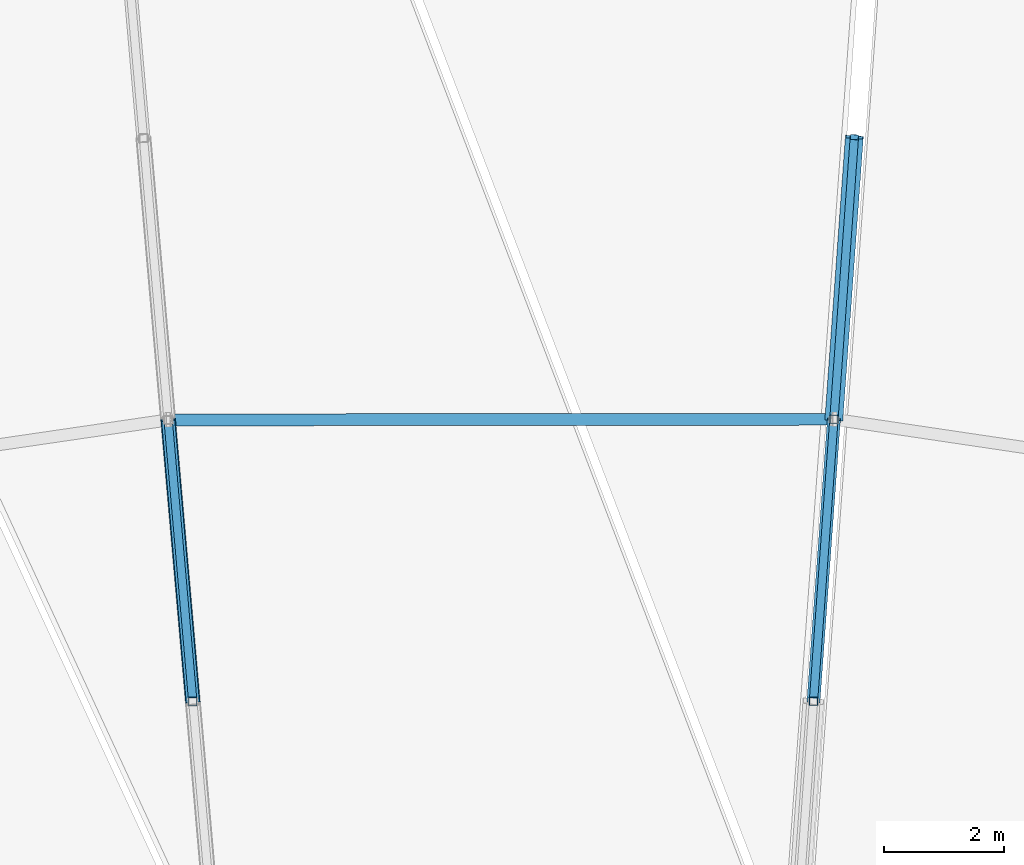
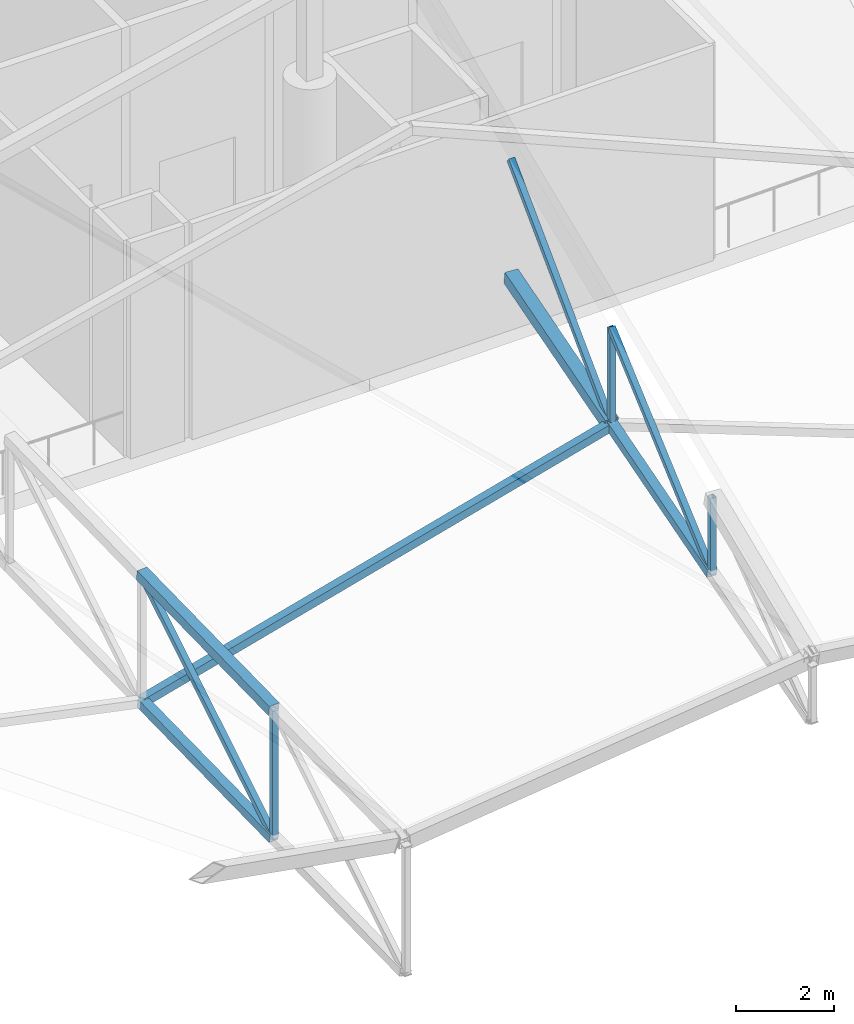
# One storey, part 153 of 344: 11 members.
"""IFC4 building model written with IfcOpenShell, lengths in metres."""

from ifc_helpers import new_model, si_unit, direction, frame, origin, origin_2d, place, context, subcontext, project, spatial, hollow_rectangle, extrude, material, material_profile, profile_set, type_object, element, save


model = new_model("IFC4")

# Units and contexts
model_context = context("Model", 3, precision=1e-05, world=origin(), true_north=direction((0.0, 1.0)))
body_context = subcontext(model_context, "Body", "Model", "MODEL_VIEW")
ifc_project = project(units=[si_unit("LENGTHUNIT", "METRE"), si_unit("AREAUNIT", "SQUARE_METRE"), si_unit("VOLUMEUNIT", "CUBIC_METRE"), si_unit("PLANEANGLEUNIT", "RADIAN"), si_unit("MASSUNIT", "GRAM", prefix="KILO")], contexts=[model_context])

# Site, building, storey
site_placement = place(None, origin())
site = spatial("IfcSite", under=ifc_project, at=site_placement, CompositionType="ELEMENT")
building_placement = place(site_placement, origin())
building = spatial("IfcBuilding", under=site, at=building_placement, Name="Meseta Stadium", CompositionType="ELEMENT")
storey_placement = place(building_placement, frame((0.0, 0.0, 24.0)))
storey = spatial("IfcBuildingStorey", under=building, at=storey_placement, Name="L04", CompositionType="ELEMENT", Elevation=24.0)

# Members
ifc_material_1 = material(Name="Steel S355", Category="steel")
ifc_material_profile_1 = material_profile(ifc_material_1, hollow_rectangle(XDim=0.139892578125, YDim=0.139892578125, WallThickness=0.0048828125, at=origin_2d()), Name="SHS 140x140x5")
ifc_profile_set_1 = profile_set([ifc_material_profile_1], Name="Steel S355")
member_type_1 = type_object("IfcMemberType", Name="SHS 140x140x5 diagonal", PredefinedType="BRACE", material=ifc_profile_set_1)
member_1_placement = place(storey_placement, frame((5.14990234375, 70.6943359375, 5.447021484375), z_axis=(0.060201380436, 0.830091034239, 0.554368711842), x_axis=(-0.997380476022, 0.072333851348, 0.0)))
element("IfcMember", 1, at=member_1_placement, inside=storey, type_object=member_type_1, Name="ROOF TRUSS RT-18 diagonal", PredefinedType="BRACE", context=body_context, shape_type="SweptSolid", body=[
    extrude(hollow_rectangle(XDim=0.139892578125, YDim=0.139892578125, WallThickness=0.0048828125, at=origin_2d()), origin(), (0.0, 0.0, 1.0), 5.677490234375),
])
member_2_placement = place(storey_placement, frame((5.49169921875, 75.4072265625, 6.179443359375), z_axis=(0.057211819337, 0.788910123077, 0.611839542228), x_axis=(-0.997380746332, 0.072330124054, 0.0)))
element("IfcMember", 2, at=member_2_placement, inside=storey, type_object=member_type_1, Name="ROOF TRUSS RT-18 diagonal", PredefinedType="BRACE", context=body_context, shape_type="SweptSolid", body=[
    extrude(hollow_rectangle(XDim=0.139892578125, YDim=0.139892578125, WallThickness=0.0048828125, at=origin_2d()), origin(), (0.0, 0.0, 1.0), 5.97412109375),
])
member_3_placement = place(storey_placement, frame((-5.220458984375, 70.6884765625, 2.458740234375), z_axis=(-0.067423184498, 0.769222733906, 0.635413644672), x_axis=(-0.996180639476, -0.087316284462, 0.0)))
element("IfcMember", 3, at=member_3_placement, inside=storey, type_object=member_type_1, Name="ROOF TRUSS RT-19 diagonal", PredefinedType="BRACE", context=body_context, shape_type="SweptSolid", body=[
    extrude(hollow_rectangle(XDim=0.139892578125, YDim=0.139892578125, WallThickness=0.0048828125, at=origin_2d()), origin(), (0.0, 0.0, 1.0), 6.11962890625),
])
ifc_material_2 = material(Name="Steel S355", Category="steel")
ifc_material_profile_2 = material_profile(ifc_material_2, hollow_rectangle(XDim=0.139892578125, YDim=0.139892578125, WallThickness=0.0048828125, at=origin_2d()), Name="SHS 140x140x5")
ifc_profile_set_2 = profile_set([ifc_material_profile_2], Name="Steel S355")
member_type_2 = type_object("IfcMemberType", Name="SHS 140x140x5 post", PredefinedType="POST", material=ifc_profile_set_2)
member_4_placement = place(storey_placement, frame((5.14990234375, 70.6943359375, 5.447021484375), z_axis=(0.0, 0.0, 1.0), x_axis=(1.0, 0.0, 0.0)))
element("IfcMember", 4, at=member_4_placement, inside=storey, type_object=member_type_2, Name="ROOF TRUSS RT-18 post", PredefinedType="POST", context=body_context, shape_type="SweptSolid", body=[
    extrude(hollow_rectangle(XDim=0.139892578125, YDim=0.139892578125, WallThickness=0.0048828125, at=origin_2d()), origin(), (0.0, 0.0, 1.0), 1.907470703125),
])
member_5_placement = place(storey_placement, frame((5.49169921875, 75.4072265625, 6.179443359375), z_axis=(0.0, 0.0, 1.0), x_axis=(1.0, 0.0, 0.0)))
element("IfcMember", 5, at=member_5_placement, inside=storey, type_object=member_type_2, Name="ROOF TRUSS RT-18 post", PredefinedType="POST", context=body_context, shape_type="SweptSolid", body=[
    extrude(hollow_rectangle(XDim=0.139892578125, YDim=0.139892578125, WallThickness=0.0048828125, at=origin_2d()), origin(), (0.0, 0.0, 1.0), 2.4150390625),
])
member_6_placement = place(storey_placement, frame((-5.220458984375, 70.6884765625, 2.458740234375), z_axis=(0.0, 0.0, 1.0), x_axis=(1.0, 0.0, 0.0)))
element("IfcMember", 6, at=member_6_placement, inside=storey, type_object=member_type_2, Name="ROOF TRUSS RT-19 post", PredefinedType="POST", context=body_context, shape_type="SweptSolid", body=[
    extrude(hollow_rectangle(XDim=0.139892578125, YDim=0.139892578125, WallThickness=0.0048828125, at=origin_2d()), origin(), (0.0, 0.0, 1.0), 3.2001953125),
])
ifc_material_3 = material(Name="Steel S355", Category="steel")
ifc_material_profile_3 = material_profile(ifc_material_3, hollow_rectangle(XDim=0.199951171875, YDim=0.199951171875, WallThickness=0.008056640625, at=origin_2d()), Name="SHS 200x200x8")
ifc_profile_set_3 = profile_set([ifc_material_profile_3], Name="Steel S355")
member_type_3 = type_object("IfcMemberType", Name="SHS 200x200x8 strut", PredefinedType="STRUT", material=ifc_profile_set_3)
member_7_placement = place(storey_placement, frame((5.49169921875, 75.4072265625, 6.179443359375), z_axis=(-0.964802910364, -0.000995144223, -0.262972154118), x_axis=(0.001031447648, -0.999999468058, 0.0)))
element("IfcMember", 7, at=member_7_placement, inside=storey, type_object=member_type_3, Name="ROOF TRUSS STRUT RT-18/19", PredefinedType="STRUT", context=body_context, shape_type="SweptSolid", body=[
    extrude(hollow_rectangle(XDim=0.199951171875, YDim=0.199951171875, WallThickness=0.008056640625, at=origin_2d()), origin(), (0.0, 0.0, 1.0), 11.530517578125),
])
ifc_material_4 = material(Name="Steel S355", Category="steel")
ifc_material_profile_4 = material_profile(ifc_material_4, hollow_rectangle(XDim=0.219970703125, YDim=0.219970703125, WallThickness=0.008056640625, at=origin_2d()), Name="SHS 220x220x8")
ifc_profile_set_4 = profile_set([ifc_material_profile_4], Name="Steel S355")
member_type_4 = type_object("IfcMemberType", Name="SHS 220x220x8 bottom chord", PredefinedType="CHORD", material=ifc_profile_set_4)
member_8_placement = place(storey_placement, frame((5.14990234375, 70.6943359375, 5.447021484375), z_axis=(0.071480278618, 0.985610927465, 0.153172025611), x_axis=(-0.997380476022, 0.072333851348, 0.0)))
element("IfcMember", 8, at=member_8_placement, inside=storey, type_object=member_type_4, Name="ROOF TRUSS RT-18 bottom chord", PredefinedType="CHORD", context=body_context, shape_type="SweptSolid", body=[
    extrude(hollow_rectangle(XDim=0.219970703125, YDim=0.219970703125, WallThickness=0.008056640625, at=origin_2d()), origin(), (0.0, 0.0, 1.0), 4.78173828125),
])
member_9_placement = place(storey_placement, frame((-5.220458984375, 70.6884765625, 2.458740234375), z_axis=(-0.086403995476, 0.985772447789, 0.144177081208), x_axis=(-0.996180639476, -0.087316284462, 0.0)))
element("IfcMember", 9, at=member_9_placement, inside=storey, type_object=member_type_4, Name="ROOF TRUSS RT-19 bottom chord", PredefinedType="CHORD", context=body_context, shape_type="SweptSolid", body=[
    extrude(hollow_rectangle(XDim=0.219970703125, YDim=0.219970703125, WallThickness=0.008056640625, at=origin_2d()), origin(), (0.0, 0.0, 1.0), 4.775146484375),
])
ifc_material_5 = material(Name="Steel S355", Category="steel")
ifc_material_profile_5 = material_profile(ifc_material_5, hollow_rectangle(XDim=0.25, YDim=0.25, WallThickness=0.010009765625, at=origin_2d()), Name="SHS 250x250x10")
ifc_profile_set_5 = profile_set([ifc_material_profile_5], Name="Steel S355")
member_type_5 = type_object("IfcMemberType", Name="SHS 250x250x10 top chord", PredefinedType="CHORD", material=ifc_profile_set_5)
member_10_placement = place(storey_placement, frame((-5.220458984375, 70.6884765625, 5.658935546875), z_axis=(-0.086404632278, 0.985779712993, 0.1441270168), x_axis=(-0.996180639476, -0.087316284462, 0.0)))
element("IfcMember", 10, at=member_10_placement, inside=storey, type_object=member_type_5, Name="ROOF TRUSS RT-19 top chord", PredefinedType="CHORD", context=body_context, shape_type="SweptSolid", body=[
    extrude(hollow_rectangle(XDim=0.25, YDim=0.25, WallThickness=0.010009765625, at=origin_2d()), origin(), (0.0, 0.0, 1.0), 4.775146484375),
])
ifc_material_6 = material(Name="Steel S355", Category="steel")
ifc_material_profile_6 = material_profile(ifc_material_6, hollow_rectangle(XDim=0.300048828125, YDim=0.300048828125, WallThickness=0.010009765625, at=origin_2d()), Name="SHS 300x300x10")
ifc_profile_set_6 = profile_set([ifc_material_profile_6], Name="Steel S355")
member_type_6 = type_object("IfcMemberType", Name="SHS 300x300x10 bottom chord", PredefinedType="CHORD", material=ifc_profile_set_6)
member_11_placement = place(storey_placement, frame((5.49169921875, 75.4072265625, 6.179443359375), z_axis=(0.071476681718, 0.98561238612, 0.153164317967), x_axis=(-0.997380746332, 0.072330124054, 0.0)))
element("IfcMember", 11, at=member_11_placement, inside=storey, type_object=member_type_6, Name="ROOF TRUSS RT-18 bottom chord", PredefinedType="CHORD", context=body_context, shape_type="SweptSolid", body=[
    extrude(hollow_rectangle(XDim=0.300048828125, YDim=0.300048828125, WallThickness=0.010009765625, at=origin_2d()), origin(), (0.0, 0.0, 1.0), 4.781982421875),
])

save(model, "model.ifc")
